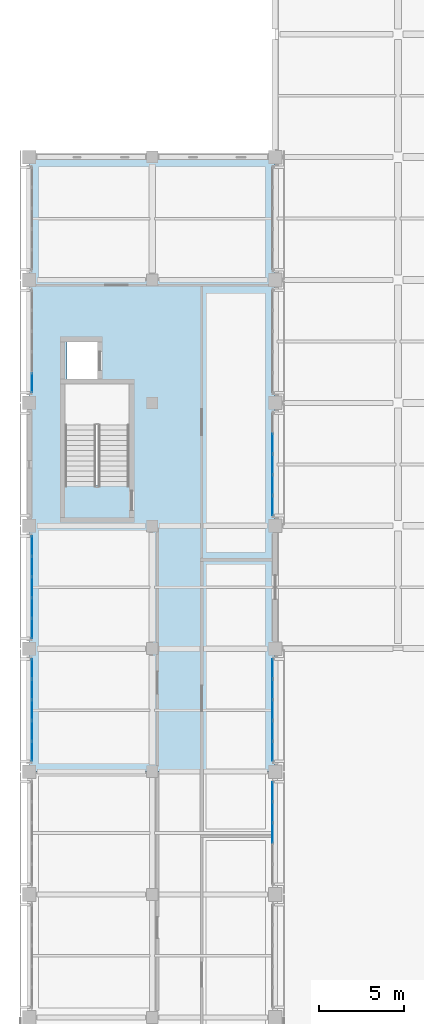
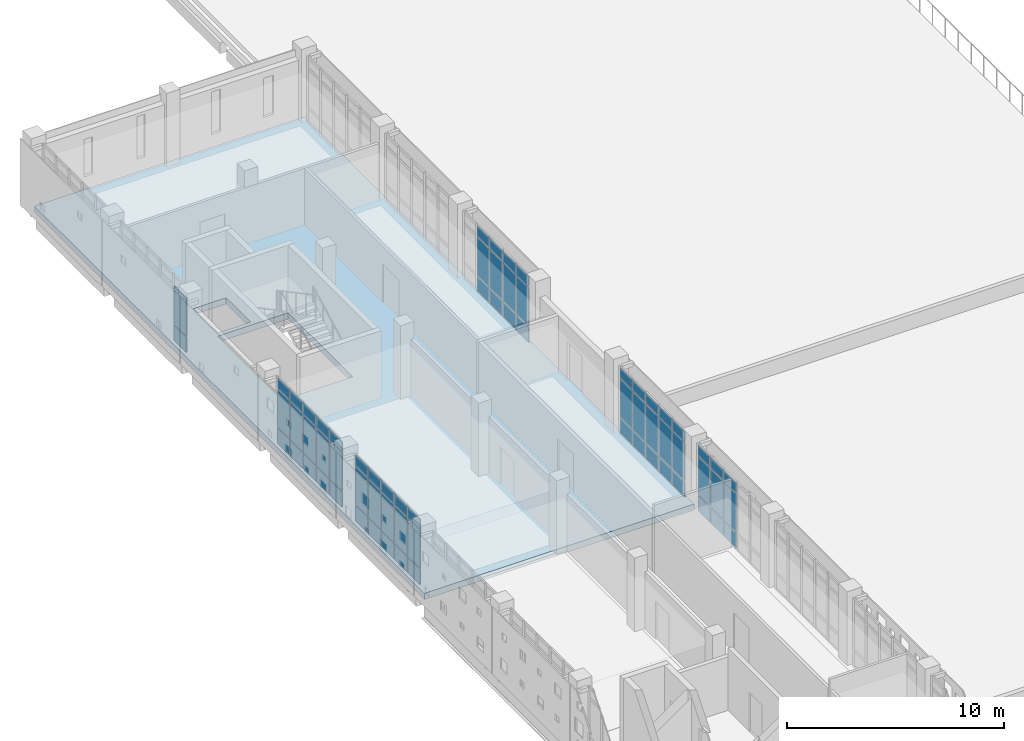
# One storey, part 27 of 51: 68 plates, 1 slab, 6 elements without a shape of their own.
"""IFC4 building model written with IfcOpenShell, lengths in metres."""

from ifc_helpers import new_model, si_unit, direction, frame, origin, origin_2d, place, context, subcontext, project, spatial, polyline, rectangle, outline, extrude, material, layer, layer_set, type_object, element, aggregate, save


model = new_model("IFC4")

# Units and contexts
model_context = context("Model", 3, precision=1e-05, world=origin(), true_north=direction((0.0, 1.0)))
body_context = subcontext(model_context, "Body", "Model", "MODEL_VIEW")
ifc_project = project(units=[si_unit("LENGTHUNIT", "METRE"), si_unit("AREAUNIT", "SQUARE_METRE"), si_unit("VOLUMEUNIT", "CUBIC_METRE"), si_unit("PLANEANGLEUNIT", "RADIAN"), si_unit("MASSUNIT", "GRAM", prefix="KILO")], contexts=[model_context])

# Site, building, storey
site_placement = place(None, origin())
site = spatial("IfcSite", under=ifc_project, at=site_placement, CompositionType="ELEMENT")
building_placement = place(site_placement, origin())
building = spatial("IfcBuilding", under=site, at=building_placement, Name="Valkovuoma Quantum and Materials Research Institute", CompositionType="ELEMENT")
storey_placement = place(building_placement, frame((0.0, 0.0, 17.280029296875)))
storey = spatial("IfcBuildingStorey", under=building, at=storey_placement, Name="L04", CompositionType="ELEMENT", Elevation=17.280029296875)

# Curtain wall, plates
ifc_material_1 = material(Name="Thermally broken aluminium and triple low-E glazing", Category="aluminium")
ifc_layer_1 = layer(ifc_material_1, 0.219970703125)
ifc_layer_set_1 = layer_set([ifc_layer_1], Name="Thermally broken aluminium and triple low-E glazing")
curtain_wall_type = type_object("IfcCurtainWallType", Name="CW-CW-01", PredefinedType="NOTDEFINED", material=ifc_layer_set_1)
curtain_wall_1_placement = place(storey_placement, origin())
curtain_wall_1 = element("IfcCurtainWall", 1, at=curtain_wall_1_placement, inside=storey, type_object=curtain_wall_type, Name="L04 curtain wall 047", PredefinedType="NOTDEFINED")
ifc_material_2 = material(Name="Triple low-E argon insulating glass", Category="glass")
ifc_layer_2 = layer(ifc_material_2, 0.035888671875)
ifc_layer_set_2 = layer_set([ifc_layer_2], Name="Triple low-E argon insulating glass")
plate_type_1 = type_object("IfcPlateType", Name="CWPanel-CWP-01", PredefinedType="CURTAIN_PANEL", material=ifc_layer_set_2)
plate_1_placement = place(storey_placement, frame((0.14990234375, 58.781982421875, 0.06494140625), z_axis=(0.0, 0.0, 1.0), x_axis=(0.0, 1.0, 0.0)))
plate_1 = element("IfcPlate", 2, at=plate_1_placement, type_object=plate_type_1, Name="CW-01 panel 1.1", PredefinedType="CURTAIN_PANEL", context=body_context, shape_type="SweptSolid", body=[
    extrude(rectangle(XDim=1.11962890625, YDim=0.035888671875, at=origin_2d()), origin(), (0.0, 0.0, 1.0), 0.8525390625),
])
plate_2_placement = place(storey_placement, frame((0.14990234375, 58.781982421875, 0.982421875), z_axis=(0.0, 0.0, 1.0), x_axis=(0.0, 1.0, 0.0)))
plate_2 = element("IfcPlate", 3, at=plate_2_placement, type_object=plate_type_1, Name="CW-01 panel 1.2", PredefinedType="CURTAIN_PANEL", context=body_context, shape_type="SweptSolid", body=[
    extrude(rectangle(XDim=1.11962890625, YDim=0.035888671875, at=origin_2d()), origin(), (0.0, 0.0, 1.0), 2.14501953125),
])
plate_3_placement = place(storey_placement, frame((0.14990234375, 58.781982421875, 3.1923828125), z_axis=(0.0, 0.0, 1.0), x_axis=(0.0, 1.0, 0.0)))
plate_3 = element("IfcPlate", 4, at=plate_3_placement, type_object=plate_type_1, Name="CW-01 panel 1.3", PredefinedType="CURTAIN_PANEL", context=body_context, shape_type="SweptSolid", body=[
    extrude(rectangle(XDim=1.11962890625, YDim=0.035888671875, at=origin_2d()), origin(), (0.0, 0.0, 1.0), 0.552490234375),
])
plate_4_placement = place(storey_placement, frame((0.14990234375, 59.98291015625, 0.06494140625), z_axis=(0.0, 0.0, 1.0), x_axis=(0.0, 1.0, 0.0)))
plate_4 = element("IfcPlate", 5, at=plate_4_placement, type_object=plate_type_1, Name="CW-01 panel 2.1", PredefinedType="CURTAIN_PANEL", context=body_context, shape_type="SweptSolid", body=[
    extrude(rectangle(XDim=1.152099609375, YDim=0.035888671875, at=origin_2d()), origin(), (0.0, 0.0, 1.0), 0.8525390625),
])
plate_5_placement = place(storey_placement, frame((0.14990234375, 59.98291015625, 0.982421875), z_axis=(0.0, 0.0, 1.0), x_axis=(0.0, 1.0, 0.0)))
plate_5 = element("IfcPlate", 6, at=plate_5_placement, type_object=plate_type_1, Name="CW-01 panel 2.2", PredefinedType="CURTAIN_PANEL", context=body_context, shape_type="SweptSolid", body=[
    extrude(rectangle(XDim=1.152099609375, YDim=0.035888671875, at=origin_2d()), origin(), (0.0, 0.0, 1.0), 2.14501953125),
])
plate_6_placement = place(storey_placement, frame((0.14990234375, 59.98291015625, 3.1923828125), z_axis=(0.0, 0.0, 1.0), x_axis=(0.0, 1.0, 0.0)))
plate_6 = element("IfcPlate", 7, at=plate_6_placement, type_object=plate_type_1, Name="CW-01 panel 2.3", PredefinedType="CURTAIN_PANEL", context=body_context, shape_type="SweptSolid", body=[
    extrude(rectangle(XDim=1.152099609375, YDim=0.035888671875, at=origin_2d()), origin(), (0.0, 0.0, 1.0), 0.552490234375),
])
plate_7_placement = place(storey_placement, frame((0.14990234375, 61.199951171875, 0.06494140625), z_axis=(0.0, 0.0, 1.0), x_axis=(0.0, 1.0, 0.0)))
plate_7 = element("IfcPlate", 8, at=plate_7_placement, type_object=plate_type_1, Name="CW-01 panel 3.1", PredefinedType="CURTAIN_PANEL", context=body_context, shape_type="SweptSolid", body=[
    extrude(rectangle(XDim=1.152099609375, YDim=0.035888671875, at=origin_2d()), origin(), (0.0, 0.0, 1.0), 0.8525390625),
])
plate_8_placement = place(storey_placement, frame((0.14990234375, 61.199951171875, 0.982421875), z_axis=(0.0, 0.0, 1.0), x_axis=(0.0, 1.0, 0.0)))
plate_8 = element("IfcPlate", 9, at=plate_8_placement, type_object=plate_type_1, Name="CW-01 panel 3.2", PredefinedType="CURTAIN_PANEL", context=body_context, shape_type="SweptSolid", body=[
    extrude(rectangle(XDim=1.152099609375, YDim=0.035888671875, at=origin_2d()), origin(), (0.0, 0.0, 1.0), 2.14501953125),
])
plate_9_placement = place(storey_placement, frame((0.14990234375, 61.199951171875, 3.1923828125), z_axis=(0.0, 0.0, 1.0), x_axis=(0.0, 1.0, 0.0)))
plate_9 = element("IfcPlate", 10, at=plate_9_placement, type_object=plate_type_1, Name="CW-01 panel 3.3", PredefinedType="CURTAIN_PANEL", context=body_context, shape_type="SweptSolid", body=[
    extrude(rectangle(XDim=1.152099609375, YDim=0.035888671875, at=origin_2d()), origin(), (0.0, 0.0, 1.0), 0.552490234375),
])
plate_10_placement = place(storey_placement, frame((0.14990234375, 62.417236328125, 0.06494140625), z_axis=(0.0, 0.0, 1.0), x_axis=(0.0, 1.0, 0.0)))
plate_10 = element("IfcPlate", 11, at=plate_10_placement, type_object=plate_type_1, Name="CW-01 panel 4.1", PredefinedType="CURTAIN_PANEL", context=body_context, shape_type="SweptSolid", body=[
    extrude(rectangle(XDim=1.152099609375, YDim=0.035888671875, at=origin_2d()), origin(), (0.0, 0.0, 1.0), 0.8525390625),
])
plate_11_placement = place(storey_placement, frame((0.14990234375, 62.417236328125, 0.982421875), z_axis=(0.0, 0.0, 1.0), x_axis=(0.0, 1.0, 0.0)))
plate_11 = element("IfcPlate", 12, at=plate_11_placement, type_object=plate_type_1, Name="CW-01 panel 4.2", PredefinedType="CURTAIN_PANEL", context=body_context, shape_type="SweptSolid", body=[
    extrude(rectangle(XDim=1.152099609375, YDim=0.035888671875, at=origin_2d()), origin(), (0.0, 0.0, 1.0), 2.14501953125),
])
plate_12_placement = place(storey_placement, frame((0.14990234375, 62.417236328125, 3.1923828125), z_axis=(0.0, 0.0, 1.0), x_axis=(0.0, 1.0, 0.0)))
plate_12 = element("IfcPlate", 13, at=plate_12_placement, type_object=plate_type_1, Name="CW-01 panel 4.3", PredefinedType="CURTAIN_PANEL", context=body_context, shape_type="SweptSolid", body=[
    extrude(rectangle(XDim=1.152099609375, YDim=0.035888671875, at=origin_2d()), origin(), (0.0, 0.0, 1.0), 0.552490234375),
])
plate_13_placement = place(storey_placement, frame((0.14990234375, 63.6181640625, 0.06494140625), z_axis=(0.0, 0.0, 1.0), x_axis=(0.0, 1.0, 0.0)))
plate_13 = element("IfcPlate", 14, at=plate_13_placement, type_object=plate_type_1, Name="CW-01 panel 5.1", PredefinedType="CURTAIN_PANEL", context=body_context, shape_type="SweptSolid", body=[
    extrude(rectangle(XDim=1.11962890625, YDim=0.035888671875, at=origin_2d()), origin(), (0.0, 0.0, 1.0), 0.8525390625),
])
plate_14_placement = place(storey_placement, frame((0.14990234375, 63.6181640625, 0.982421875), z_axis=(0.0, 0.0, 1.0), x_axis=(0.0, 1.0, 0.0)))
plate_14 = element("IfcPlate", 15, at=plate_14_placement, type_object=plate_type_1, Name="CW-01 panel 5.2", PredefinedType="CURTAIN_PANEL", context=body_context, shape_type="SweptSolid", body=[
    extrude(rectangle(XDim=1.11962890625, YDim=0.035888671875, at=origin_2d()), origin(), (0.0, 0.0, 1.0), 2.14501953125),
])
plate_15_placement = place(storey_placement, frame((0.14990234375, 63.6181640625, 3.1923828125), z_axis=(0.0, 0.0, 1.0), x_axis=(0.0, 1.0, 0.0)))
plate_15 = element("IfcPlate", 16, at=plate_15_placement, type_object=plate_type_1, Name="CW-01 panel 5.3", PredefinedType="CURTAIN_PANEL", context=body_context, shape_type="SweptSolid", body=[
    extrude(rectangle(XDim=1.11962890625, YDim=0.035888671875, at=origin_2d()), origin(), (0.0, 0.0, 1.0), 0.552490234375),
])
aggregate(curtain_wall_1, [plate_1, plate_2, plate_3, plate_4, plate_5, plate_6, plate_7, plate_8, plate_9, plate_10, plate_11, plate_12, plate_13, plate_14, plate_15])

curtain_wall_2_placement = place(storey_placement, origin())
curtain_wall_2 = element("IfcCurtainWall", 17, at=curtain_wall_2_placement, inside=storey, type_object=curtain_wall_type, Name="L04 curtain wall 049", PredefinedType="NOTDEFINED")
plate_16_placement = place(storey_placement, frame((0.14990234375, 65.98193359375, 0.06494140625), z_axis=(0.0, 0.0, 1.0), x_axis=(0.0, 1.0, 0.0)))
plate_16 = element("IfcPlate", 18, at=plate_16_placement, type_object=plate_type_1, Name="CW-01 panel 1.1", PredefinedType="CURTAIN_PANEL", context=body_context, shape_type="SweptSolid", body=[
    extrude(rectangle(XDim=1.11962890625, YDim=0.035888671875, at=origin_2d()), origin(), (0.0, 0.0, 1.0), 0.8525390625),
])
plate_17_placement = place(storey_placement, frame((0.14990234375, 65.98193359375, 0.982421875), z_axis=(0.0, 0.0, 1.0), x_axis=(0.0, 1.0, 0.0)))
plate_17 = element("IfcPlate", 19, at=plate_17_placement, type_object=plate_type_1, Name="CW-01 panel 1.2", PredefinedType="CURTAIN_PANEL", context=body_context, shape_type="SweptSolid", body=[
    extrude(rectangle(XDim=1.11962890625, YDim=0.035888671875, at=origin_2d()), origin(), (0.0, 0.0, 1.0), 2.14501953125),
])
plate_18_placement = place(storey_placement, frame((0.14990234375, 65.98193359375, 3.1923828125), z_axis=(0.0, 0.0, 1.0), x_axis=(0.0, 1.0, 0.0)))
plate_18 = element("IfcPlate", 20, at=plate_18_placement, type_object=plate_type_1, Name="CW-01 panel 1.3", PredefinedType="CURTAIN_PANEL", context=body_context, shape_type="SweptSolid", body=[
    extrude(rectangle(XDim=1.11962890625, YDim=0.035888671875, at=origin_2d()), origin(), (0.0, 0.0, 1.0), 0.552490234375),
])
plate_19_placement = place(storey_placement, frame((0.14990234375, 67.182861328125, 0.06494140625), z_axis=(0.0, 0.0, 1.0), x_axis=(0.0, 1.0, 0.0)))
plate_19 = element("IfcPlate", 21, at=plate_19_placement, type_object=plate_type_1, Name="CW-01 panel 2.1", PredefinedType="CURTAIN_PANEL", context=body_context, shape_type="SweptSolid", body=[
    extrude(rectangle(XDim=1.152099609375, YDim=0.035888671875, at=origin_2d()), origin(), (0.0, 0.0, 1.0), 0.8525390625),
])
plate_20_placement = place(storey_placement, frame((0.14990234375, 67.182861328125, 0.982421875), z_axis=(0.0, 0.0, 1.0), x_axis=(0.0, 1.0, 0.0)))
plate_20 = element("IfcPlate", 22, at=plate_20_placement, type_object=plate_type_1, Name="CW-01 panel 2.2", PredefinedType="CURTAIN_PANEL", context=body_context, shape_type="SweptSolid", body=[
    extrude(rectangle(XDim=1.152099609375, YDim=0.035888671875, at=origin_2d()), origin(), (0.0, 0.0, 1.0), 2.14501953125),
])
plate_21_placement = place(storey_placement, frame((0.14990234375, 67.182861328125, 3.1923828125), z_axis=(0.0, 0.0, 1.0), x_axis=(0.0, 1.0, 0.0)))
plate_21 = element("IfcPlate", 23, at=plate_21_placement, type_object=plate_type_1, Name="CW-01 panel 2.3", PredefinedType="CURTAIN_PANEL", context=body_context, shape_type="SweptSolid", body=[
    extrude(rectangle(XDim=1.152099609375, YDim=0.035888671875, at=origin_2d()), origin(), (0.0, 0.0, 1.0), 0.552490234375),
])
plate_22_placement = place(storey_placement, frame((0.14990234375, 68.39990234375, 0.06494140625), z_axis=(0.0, 0.0, 1.0), x_axis=(0.0, 1.0, 0.0)))
plate_22 = element("IfcPlate", 24, at=plate_22_placement, type_object=plate_type_1, Name="CW-01 panel 3.1", PredefinedType="CURTAIN_PANEL", context=body_context, shape_type="SweptSolid", body=[
    extrude(rectangle(XDim=1.152099609375, YDim=0.035888671875, at=origin_2d()), origin(), (0.0, 0.0, 1.0), 0.8525390625),
])
plate_23_placement = place(storey_placement, frame((0.14990234375, 68.39990234375, 0.982421875), z_axis=(0.0, 0.0, 1.0), x_axis=(0.0, 1.0, 0.0)))
plate_23 = element("IfcPlate", 25, at=plate_23_placement, type_object=plate_type_1, Name="CW-01 panel 3.2", PredefinedType="CURTAIN_PANEL", context=body_context, shape_type="SweptSolid", body=[
    extrude(rectangle(XDim=1.152099609375, YDim=0.035888671875, at=origin_2d()), origin(), (0.0, 0.0, 1.0), 2.14501953125),
])
plate_24_placement = place(storey_placement, frame((0.14990234375, 68.39990234375, 3.1923828125), z_axis=(0.0, 0.0, 1.0), x_axis=(0.0, 1.0, 0.0)))
plate_24 = element("IfcPlate", 26, at=plate_24_placement, type_object=plate_type_1, Name="CW-01 panel 3.3", PredefinedType="CURTAIN_PANEL", context=body_context, shape_type="SweptSolid", body=[
    extrude(rectangle(XDim=1.152099609375, YDim=0.035888671875, at=origin_2d()), origin(), (0.0, 0.0, 1.0), 0.552490234375),
])
plate_25_placement = place(storey_placement, frame((0.14990234375, 69.6171875, 0.06494140625), z_axis=(0.0, 0.0, 1.0), x_axis=(0.0, 1.0, 0.0)))
plate_25 = element("IfcPlate", 27, at=plate_25_placement, type_object=plate_type_1, Name="CW-01 panel 4.1", PredefinedType="CURTAIN_PANEL", context=body_context, shape_type="SweptSolid", body=[
    extrude(rectangle(XDim=1.152099609375, YDim=0.035888671875, at=origin_2d()), origin(), (0.0, 0.0, 1.0), 0.8525390625),
])
plate_26_placement = place(storey_placement, frame((0.14990234375, 69.6171875, 0.982421875), z_axis=(0.0, 0.0, 1.0), x_axis=(0.0, 1.0, 0.0)))
plate_26 = element("IfcPlate", 28, at=plate_26_placement, type_object=plate_type_1, Name="CW-01 panel 4.2", PredefinedType="CURTAIN_PANEL", context=body_context, shape_type="SweptSolid", body=[
    extrude(rectangle(XDim=1.152099609375, YDim=0.035888671875, at=origin_2d()), origin(), (0.0, 0.0, 1.0), 2.14501953125),
])
plate_27_placement = place(storey_placement, frame((0.14990234375, 69.6171875, 3.1923828125), z_axis=(0.0, 0.0, 1.0), x_axis=(0.0, 1.0, 0.0)))
plate_27 = element("IfcPlate", 29, at=plate_27_placement, type_object=plate_type_1, Name="CW-01 panel 4.3", PredefinedType="CURTAIN_PANEL", context=body_context, shape_type="SweptSolid", body=[
    extrude(rectangle(XDim=1.152099609375, YDim=0.035888671875, at=origin_2d()), origin(), (0.0, 0.0, 1.0), 0.552490234375),
])
plate_28_placement = place(storey_placement, frame((0.14990234375, 70.818115234375, 0.06494140625), z_axis=(0.0, 0.0, 1.0), x_axis=(0.0, 1.0, 0.0)))
plate_28 = element("IfcPlate", 30, at=plate_28_placement, type_object=plate_type_1, Name="CW-01 panel 5.1", PredefinedType="CURTAIN_PANEL", context=body_context, shape_type="SweptSolid", body=[
    extrude(rectangle(XDim=1.11962890625, YDim=0.035888671875, at=origin_2d()), origin(), (0.0, 0.0, 1.0), 0.8525390625),
])
plate_29_placement = place(storey_placement, frame((0.14990234375, 70.818115234375, 0.982421875), z_axis=(0.0, 0.0, 1.0), x_axis=(0.0, 1.0, 0.0)))
plate_29 = element("IfcPlate", 31, at=plate_29_placement, type_object=plate_type_1, Name="CW-01 panel 5.2", PredefinedType="CURTAIN_PANEL", context=body_context, shape_type="SweptSolid", body=[
    extrude(rectangle(XDim=1.11962890625, YDim=0.035888671875, at=origin_2d()), origin(), (0.0, 0.0, 1.0), 2.14501953125),
])
plate_30_placement = place(storey_placement, frame((0.14990234375, 70.818115234375, 3.1923828125), z_axis=(0.0, 0.0, 1.0), x_axis=(0.0, 1.0, 0.0)))
plate_30 = element("IfcPlate", 32, at=plate_30_placement, type_object=plate_type_1, Name="CW-01 panel 5.3", PredefinedType="CURTAIN_PANEL", context=body_context, shape_type="SweptSolid", body=[
    extrude(rectangle(XDim=1.11962890625, YDim=0.035888671875, at=origin_2d()), origin(), (0.0, 0.0, 1.0), 0.552490234375),
])
aggregate(curtain_wall_2, [plate_16, plate_17, plate_18, plate_19, plate_20, plate_21, plate_22, plate_23, plate_24, plate_25, plate_26, plate_27, plate_28, plate_29, plate_30])

curtain_wall_3_placement = place(storey_placement, origin())
curtain_wall_3 = element("IfcCurtainWall", 33, at=curtain_wall_3_placement, inside=storey, type_object=curtain_wall_type, Name="L04 curtain wall 051", PredefinedType="NOTDEFINED")
plate_31_placement = place(storey_placement, frame((0.14990234375, 80.3818359375, 0.06494140625), z_axis=(0.0, 0.0, 1.0), x_axis=(0.0, 1.0, 0.0)))
plate_31 = element("IfcPlate", 34, at=plate_31_placement, type_object=plate_type_1, Name="CW-01 panel 1.1", PredefinedType="CURTAIN_PANEL", context=body_context, shape_type="SweptSolid", body=[
    extrude(rectangle(XDim=1.11962890625, YDim=0.035888671875, at=origin_2d()), origin(), (0.0, 0.0, 1.0), 0.8525390625),
])
plate_32_placement = place(storey_placement, frame((0.14990234375, 80.3818359375, 0.982421875), z_axis=(0.0, 0.0, 1.0), x_axis=(0.0, 1.0, 0.0)))
plate_32 = element("IfcPlate", 35, at=plate_32_placement, type_object=plate_type_1, Name="CW-01 panel 1.2", PredefinedType="CURTAIN_PANEL", context=body_context, shape_type="SweptSolid", body=[
    extrude(rectangle(XDim=1.11962890625, YDim=0.035888671875, at=origin_2d()), origin(), (0.0, 0.0, 1.0), 2.14501953125),
])
aggregate(curtain_wall_3, [plate_31, plate_32])

curtain_wall_4_placement = place(storey_placement, origin())
curtain_wall_4 = element("IfcCurtainWall", 36, at=curtain_wall_4_placement, inside=storey, type_object=curtain_wall_type, Name="L04 curtain wall 046", PredefinedType="NOTDEFINED")
ifc_material_3 = material(Name="Triple low-E argon insulating glass", Category="glass")
ifc_layer_3 = layer(ifc_material_3, 0.0419921875)
ifc_layer_set_3 = layer_set([ifc_layer_3], Name="Triple low-E argon insulating glass")
plate_type_2 = type_object("IfcPlateType", Name="CWPanel-CWP-02", PredefinedType="CURTAIN_PANEL", material=ifc_layer_set_3)
plate_33_placement = place(storey_placement, frame((14.25, 54.0, 0.06494140625), z_axis=(0.0, 0.0, 1.0), x_axis=(0.0, 1.0, 0.0)))
plate_33 = element("IfcPlate", 37, at=plate_33_placement, type_object=plate_type_2, Name="CW-01 panel 3.1", PredefinedType="CURTAIN_PANEL", context=body_context, shape_type="SweptSolid", body=[
    extrude(rectangle(XDim=1.152099609375, YDim=0.0419921875, at=origin_2d()), origin(), (0.0, 0.0, 1.0), 0.8525390625),
])
plate_34_placement = place(storey_placement, frame((14.25, 54.0, 0.982421875), z_axis=(0.0, 0.0, 1.0), x_axis=(0.0, 1.0, 0.0)))
plate_34 = element("IfcPlate", 38, at=plate_34_placement, type_object=plate_type_2, Name="CW-01 panel 3.2", PredefinedType="CURTAIN_PANEL", context=body_context, shape_type="SweptSolid", body=[
    extrude(rectangle(XDim=1.152099609375, YDim=0.0419921875, at=origin_2d()), origin(), (0.0, 0.0, 1.0), 2.14501953125),
])
plate_35_placement = place(storey_placement, frame((14.25, 54.0, 3.1923828125), z_axis=(0.0, 0.0, 1.0), x_axis=(0.0, 1.0, 0.0)))
plate_35 = element("IfcPlate", 39, at=plate_35_placement, type_object=plate_type_2, Name="CW-01 panel 3.3", PredefinedType="CURTAIN_PANEL", context=body_context, shape_type="SweptSolid", body=[
    extrude(rectangle(XDim=1.152099609375, YDim=0.0419921875, at=origin_2d()), origin(), (0.0, 0.0, 1.0), 0.552490234375),
])
plate_36_placement = place(storey_placement, frame((14.25, 55.217041015625, 0.06494140625), z_axis=(0.0, 0.0, 1.0), x_axis=(0.0, 1.0, 0.0)))
plate_36 = element("IfcPlate", 40, at=plate_36_placement, type_object=plate_type_2, Name="CW-01 panel 4.1", PredefinedType="CURTAIN_PANEL", context=body_context, shape_type="SweptSolid", body=[
    extrude(rectangle(XDim=1.152099609375, YDim=0.0419921875, at=origin_2d()), origin(), (0.0, 0.0, 1.0), 0.8525390625),
])
plate_37_placement = place(storey_placement, frame((14.25, 55.217041015625, 0.982421875), z_axis=(0.0, 0.0, 1.0), x_axis=(0.0, 1.0, 0.0)))
plate_37 = element("IfcPlate", 41, at=plate_37_placement, type_object=plate_type_2, Name="CW-01 panel 4.2", PredefinedType="CURTAIN_PANEL", context=body_context, shape_type="SweptSolid", body=[
    extrude(rectangle(XDim=1.152099609375, YDim=0.0419921875, at=origin_2d()), origin(), (0.0, 0.0, 1.0), 2.14501953125),
])
plate_38_placement = place(storey_placement, frame((14.25, 55.217041015625, 3.1923828125), z_axis=(0.0, 0.0, 1.0), x_axis=(0.0, 1.0, 0.0)))
plate_38 = element("IfcPlate", 42, at=plate_38_placement, type_object=plate_type_2, Name="CW-01 panel 4.3", PredefinedType="CURTAIN_PANEL", context=body_context, shape_type="SweptSolid", body=[
    extrude(rectangle(XDim=1.152099609375, YDim=0.0419921875, at=origin_2d()), origin(), (0.0, 0.0, 1.0), 0.552490234375),
])
plate_39_placement = place(storey_placement, frame((14.25, 56.41796875, 0.06494140625), z_axis=(0.0, 0.0, 1.0), x_axis=(0.0, 1.0, 0.0)))
plate_39 = element("IfcPlate", 43, at=plate_39_placement, type_object=plate_type_2, Name="CW-01 panel 5.1", PredefinedType="CURTAIN_PANEL", context=body_context, shape_type="SweptSolid", body=[
    extrude(rectangle(XDim=1.11962890625, YDim=0.0419921875, at=origin_2d()), origin(), (0.0, 0.0, 1.0), 0.8525390625),
])
plate_40_placement = place(storey_placement, frame((14.25, 56.41796875, 0.982421875), z_axis=(0.0, 0.0, 1.0), x_axis=(0.0, 1.0, 0.0)))
plate_40 = element("IfcPlate", 44, at=plate_40_placement, type_object=plate_type_2, Name="CW-01 panel 5.2", PredefinedType="CURTAIN_PANEL", context=body_context, shape_type="SweptSolid", body=[
    extrude(rectangle(XDim=1.11962890625, YDim=0.0419921875, at=origin_2d()), origin(), (0.0, 0.0, 1.0), 2.14501953125),
])
plate_41_placement = place(storey_placement, frame((14.25, 56.41796875, 3.1923828125), z_axis=(0.0, 0.0, 1.0), x_axis=(0.0, 1.0, 0.0)))
plate_41 = element("IfcPlate", 45, at=plate_41_placement, type_object=plate_type_2, Name="CW-01 panel 5.3", PredefinedType="CURTAIN_PANEL", context=body_context, shape_type="SweptSolid", body=[
    extrude(rectangle(XDim=1.11962890625, YDim=0.0419921875, at=origin_2d()), origin(), (0.0, 0.0, 1.0), 0.552490234375),
])
aggregate(curtain_wall_4, [plate_33, plate_34, plate_35, plate_36, plate_37, plate_38, plate_39, plate_40, plate_41])

curtain_wall_5_placement = place(storey_placement, origin())
curtain_wall_5 = element("IfcCurtainWall", 46, at=curtain_wall_5_placement, inside=storey, type_object=curtain_wall_type, Name="L04 curtain wall 048", PredefinedType="NOTDEFINED")
plate_42_placement = place(storey_placement, frame((14.25, 58.781982421875, 0.06494140625), z_axis=(0.0, 0.0, 1.0), x_axis=(0.0, 1.0, 0.0)))
plate_42 = element("IfcPlate", 47, at=plate_42_placement, type_object=plate_type_2, Name="CW-01 panel 1.1", PredefinedType="CURTAIN_PANEL", context=body_context, shape_type="SweptSolid", body=[
    extrude(rectangle(XDim=1.11962890625, YDim=0.0419921875, at=origin_2d()), origin(), (0.0, 0.0, 1.0), 0.8525390625),
])
plate_43_placement = place(storey_placement, frame((14.25, 58.781982421875, 0.982421875), z_axis=(0.0, 0.0, 1.0), x_axis=(0.0, 1.0, 0.0)))
plate_43 = element("IfcPlate", 48, at=plate_43_placement, type_object=plate_type_2, Name="CW-01 panel 1.2", PredefinedType="CURTAIN_PANEL", context=body_context, shape_type="SweptSolid", body=[
    extrude(rectangle(XDim=1.11962890625, YDim=0.0419921875, at=origin_2d()), origin(), (0.0, 0.0, 1.0), 2.14501953125),
])
plate_44_placement = place(storey_placement, frame((14.25, 58.781982421875, 3.1923828125), z_axis=(0.0, 0.0, 1.0), x_axis=(0.0, 1.0, 0.0)))
plate_44 = element("IfcPlate", 49, at=plate_44_placement, type_object=plate_type_2, Name="CW-01 panel 1.3", PredefinedType="CURTAIN_PANEL", context=body_context, shape_type="SweptSolid", body=[
    extrude(rectangle(XDim=1.11962890625, YDim=0.0419921875, at=origin_2d()), origin(), (0.0, 0.0, 1.0), 0.552490234375),
])
plate_45_placement = place(storey_placement, frame((14.25, 59.98291015625, 0.06494140625), z_axis=(0.0, 0.0, 1.0), x_axis=(0.0, 1.0, 0.0)))
plate_45 = element("IfcPlate", 50, at=plate_45_placement, type_object=plate_type_2, Name="CW-01 panel 2.1", PredefinedType="CURTAIN_PANEL", context=body_context, shape_type="SweptSolid", body=[
    extrude(rectangle(XDim=1.152099609375, YDim=0.0419921875, at=origin_2d()), origin(), (0.0, 0.0, 1.0), 0.8525390625),
])
plate_46_placement = place(storey_placement, frame((14.25, 59.98291015625, 0.982421875), z_axis=(0.0, 0.0, 1.0), x_axis=(0.0, 1.0, 0.0)))
plate_46 = element("IfcPlate", 51, at=plate_46_placement, type_object=plate_type_2, Name="CW-01 panel 2.2", PredefinedType="CURTAIN_PANEL", context=body_context, shape_type="SweptSolid", body=[
    extrude(rectangle(XDim=1.152099609375, YDim=0.0419921875, at=origin_2d()), origin(), (0.0, 0.0, 1.0), 2.14501953125),
])
plate_47_placement = place(storey_placement, frame((14.25, 59.98291015625, 3.1923828125), z_axis=(0.0, 0.0, 1.0), x_axis=(0.0, 1.0, 0.0)))
plate_47 = element("IfcPlate", 52, at=plate_47_placement, type_object=plate_type_2, Name="CW-01 panel 2.3", PredefinedType="CURTAIN_PANEL", context=body_context, shape_type="SweptSolid", body=[
    extrude(rectangle(XDim=1.152099609375, YDim=0.0419921875, at=origin_2d()), origin(), (0.0, 0.0, 1.0), 0.552490234375),
])
plate_48_placement = place(storey_placement, frame((14.25, 61.199951171875, 0.06494140625), z_axis=(0.0, 0.0, 1.0), x_axis=(0.0, 1.0, 0.0)))
plate_48 = element("IfcPlate", 53, at=plate_48_placement, type_object=plate_type_2, Name="CW-01 panel 3.1", PredefinedType="CURTAIN_PANEL", context=body_context, shape_type="SweptSolid", body=[
    extrude(rectangle(XDim=1.152099609375, YDim=0.0419921875, at=origin_2d()), origin(), (0.0, 0.0, 1.0), 0.8525390625),
])
plate_49_placement = place(storey_placement, frame((14.25, 61.199951171875, 0.982421875), z_axis=(0.0, 0.0, 1.0), x_axis=(0.0, 1.0, 0.0)))
plate_49 = element("IfcPlate", 54, at=plate_49_placement, type_object=plate_type_2, Name="CW-01 panel 3.2", PredefinedType="CURTAIN_PANEL", context=body_context, shape_type="SweptSolid", body=[
    extrude(rectangle(XDim=1.152099609375, YDim=0.0419921875, at=origin_2d()), origin(), (0.0, 0.0, 1.0), 2.14501953125),
])
plate_50_placement = place(storey_placement, frame((14.25, 61.199951171875, 3.1923828125), z_axis=(0.0, 0.0, 1.0), x_axis=(0.0, 1.0, 0.0)))
plate_50 = element("IfcPlate", 55, at=plate_50_placement, type_object=plate_type_2, Name="CW-01 panel 3.3", PredefinedType="CURTAIN_PANEL", context=body_context, shape_type="SweptSolid", body=[
    extrude(rectangle(XDim=1.152099609375, YDim=0.0419921875, at=origin_2d()), origin(), (0.0, 0.0, 1.0), 0.552490234375),
])
plate_51_placement = place(storey_placement, frame((14.25, 62.417236328125, 0.06494140625), z_axis=(0.0, 0.0, 1.0), x_axis=(0.0, 1.0, 0.0)))
plate_51 = element("IfcPlate", 56, at=plate_51_placement, type_object=plate_type_2, Name="CW-01 panel 4.1", PredefinedType="CURTAIN_PANEL", context=body_context, shape_type="SweptSolid", body=[
    extrude(rectangle(XDim=1.152099609375, YDim=0.0419921875, at=origin_2d()), origin(), (0.0, 0.0, 1.0), 0.8525390625),
])
plate_52_placement = place(storey_placement, frame((14.25, 62.417236328125, 0.982421875), z_axis=(0.0, 0.0, 1.0), x_axis=(0.0, 1.0, 0.0)))
plate_52 = element("IfcPlate", 57, at=plate_52_placement, type_object=plate_type_2, Name="CW-01 panel 4.2", PredefinedType="CURTAIN_PANEL", context=body_context, shape_type="SweptSolid", body=[
    extrude(rectangle(XDim=1.152099609375, YDim=0.0419921875, at=origin_2d()), origin(), (0.0, 0.0, 1.0), 2.14501953125),
])
plate_53_placement = place(storey_placement, frame((14.25, 62.417236328125, 3.1923828125), z_axis=(0.0, 0.0, 1.0), x_axis=(0.0, 1.0, 0.0)))
plate_53 = element("IfcPlate", 58, at=plate_53_placement, type_object=plate_type_2, Name="CW-01 panel 4.3", PredefinedType="CURTAIN_PANEL", context=body_context, shape_type="SweptSolid", body=[
    extrude(rectangle(XDim=1.152099609375, YDim=0.0419921875, at=origin_2d()), origin(), (0.0, 0.0, 1.0), 0.552490234375),
])
plate_54_placement = place(storey_placement, frame((14.25, 63.6181640625, 0.06494140625), z_axis=(0.0, 0.0, 1.0), x_axis=(0.0, 1.0, 0.0)))
plate_54 = element("IfcPlate", 59, at=plate_54_placement, type_object=plate_type_2, Name="CW-01 panel 5.1", PredefinedType="CURTAIN_PANEL", context=body_context, shape_type="SweptSolid", body=[
    extrude(rectangle(XDim=1.11962890625, YDim=0.0419921875, at=origin_2d()), origin(), (0.0, 0.0, 1.0), 0.8525390625),
])
plate_55_placement = place(storey_placement, frame((14.25, 63.6181640625, 0.982421875), z_axis=(0.0, 0.0, 1.0), x_axis=(0.0, 1.0, 0.0)))
plate_55 = element("IfcPlate", 60, at=plate_55_placement, type_object=plate_type_2, Name="CW-01 panel 5.2", PredefinedType="CURTAIN_PANEL", context=body_context, shape_type="SweptSolid", body=[
    extrude(rectangle(XDim=1.11962890625, YDim=0.0419921875, at=origin_2d()), origin(), (0.0, 0.0, 1.0), 2.14501953125),
])
plate_56_placement = place(storey_placement, frame((14.25, 63.6181640625, 3.1923828125), z_axis=(0.0, 0.0, 1.0), x_axis=(0.0, 1.0, 0.0)))
plate_56 = element("IfcPlate", 61, at=plate_56_placement, type_object=plate_type_2, Name="CW-01 panel 5.3", PredefinedType="CURTAIN_PANEL", context=body_context, shape_type="SweptSolid", body=[
    extrude(rectangle(XDim=1.11962890625, YDim=0.0419921875, at=origin_2d()), origin(), (0.0, 0.0, 1.0), 0.552490234375),
])
aggregate(curtain_wall_5, [plate_42, plate_43, plate_44, plate_45, plate_46, plate_47, plate_48, plate_49, plate_50, plate_51, plate_52, plate_53, plate_54, plate_55, plate_56])

curtain_wall_6_placement = place(storey_placement, origin())
curtain_wall_6 = element("IfcCurtainWall", 62, at=curtain_wall_6_placement, inside=storey, type_object=curtain_wall_type, Name="L04 curtain wall 050", PredefinedType="NOTDEFINED")
plate_57_placement = place(storey_placement, frame((14.25, 73.181884765625, 0.06494140625), z_axis=(0.0, 0.0, 1.0), x_axis=(0.0, 1.0, 0.0)))
plate_57 = element("IfcPlate", 63, at=plate_57_placement, type_object=plate_type_2, Name="CW-01 panel 1.1", PredefinedType="CURTAIN_PANEL", context=body_context, shape_type="SweptSolid", body=[
    extrude(rectangle(XDim=1.11962890625, YDim=0.0419921875, at=origin_2d()), origin(), (0.0, 0.0, 1.0), 0.8525390625),
])
plate_58_placement = place(storey_placement, frame((14.25, 73.181884765625, 0.982421875), z_axis=(0.0, 0.0, 1.0), x_axis=(0.0, 1.0, 0.0)))
plate_58 = element("IfcPlate", 64, at=plate_58_placement, type_object=plate_type_2, Name="CW-01 panel 1.2", PredefinedType="CURTAIN_PANEL", context=body_context, shape_type="SweptSolid", body=[
    extrude(rectangle(XDim=1.11962890625, YDim=0.0419921875, at=origin_2d()), origin(), (0.0, 0.0, 1.0), 2.14501953125),
])
plate_59_placement = place(storey_placement, frame((14.25, 73.181884765625, 3.1923828125), z_axis=(0.0, 0.0, 1.0), x_axis=(0.0, 1.0, 0.0)))
plate_59 = element("IfcPlate", 65, at=plate_59_placement, type_object=plate_type_2, Name="CW-01 panel 1.3", PredefinedType="CURTAIN_PANEL", context=body_context, shape_type="SweptSolid", body=[
    extrude(rectangle(XDim=1.11962890625, YDim=0.0419921875, at=origin_2d()), origin(), (0.0, 0.0, 1.0), 0.552490234375),
])
plate_60_placement = place(storey_placement, frame((14.25, 74.3828125, 0.06494140625), z_axis=(0.0, 0.0, 1.0), x_axis=(0.0, 1.0, 0.0)))
plate_60 = element("IfcPlate", 66, at=plate_60_placement, type_object=plate_type_2, Name="CW-01 panel 2.1", PredefinedType="CURTAIN_PANEL", context=body_context, shape_type="SweptSolid", body=[
    extrude(rectangle(XDim=1.152099609375, YDim=0.0419921875, at=origin_2d()), origin(), (0.0, 0.0, 1.0), 0.8525390625),
])
plate_61_placement = place(storey_placement, frame((14.25, 74.3828125, 0.982421875), z_axis=(0.0, 0.0, 1.0), x_axis=(0.0, 1.0, 0.0)))
plate_61 = element("IfcPlate", 67, at=plate_61_placement, type_object=plate_type_2, Name="CW-01 panel 2.2", PredefinedType="CURTAIN_PANEL", context=body_context, shape_type="SweptSolid", body=[
    extrude(rectangle(XDim=1.152099609375, YDim=0.0419921875, at=origin_2d()), origin(), (0.0, 0.0, 1.0), 2.14501953125),
])
plate_62_placement = place(storey_placement, frame((14.25, 74.3828125, 3.1923828125), z_axis=(0.0, 0.0, 1.0), x_axis=(0.0, 1.0, 0.0)))
plate_62 = element("IfcPlate", 68, at=plate_62_placement, type_object=plate_type_2, Name="CW-01 panel 2.3", PredefinedType="CURTAIN_PANEL", context=body_context, shape_type="SweptSolid", body=[
    extrude(rectangle(XDim=1.152099609375, YDim=0.0419921875, at=origin_2d()), origin(), (0.0, 0.0, 1.0), 0.552490234375),
])
plate_63_placement = place(storey_placement, frame((14.25, 75.60009765625, 0.06494140625), z_axis=(0.0, 0.0, 1.0), x_axis=(0.0, 1.0, 0.0)))
plate_63 = element("IfcPlate", 69, at=plate_63_placement, type_object=plate_type_2, Name="CW-01 panel 3.1", PredefinedType="CURTAIN_PANEL", context=body_context, shape_type="SweptSolid", body=[
    extrude(rectangle(XDim=1.152099609375, YDim=0.0419921875, at=origin_2d()), origin(), (0.0, 0.0, 1.0), 0.8525390625),
])
plate_64_placement = place(storey_placement, frame((14.25, 75.60009765625, 0.982421875), z_axis=(0.0, 0.0, 1.0), x_axis=(0.0, 1.0, 0.0)))
plate_64 = element("IfcPlate", 70, at=plate_64_placement, type_object=plate_type_2, Name="CW-01 panel 3.2", PredefinedType="CURTAIN_PANEL", context=body_context, shape_type="SweptSolid", body=[
    extrude(rectangle(XDim=1.152099609375, YDim=0.0419921875, at=origin_2d()), origin(), (0.0, 0.0, 1.0), 2.14501953125),
])
plate_65_placement = place(storey_placement, frame((14.25, 75.60009765625, 3.1923828125), z_axis=(0.0, 0.0, 1.0), x_axis=(0.0, 1.0, 0.0)))
plate_65 = element("IfcPlate", 71, at=plate_65_placement, type_object=plate_type_2, Name="CW-01 panel 3.3", PredefinedType="CURTAIN_PANEL", context=body_context, shape_type="SweptSolid", body=[
    extrude(rectangle(XDim=1.152099609375, YDim=0.0419921875, at=origin_2d()), origin(), (0.0, 0.0, 1.0), 0.552490234375),
])
plate_66_placement = place(storey_placement, frame((14.25, 76.817138671875, 0.06494140625), z_axis=(0.0, 0.0, 1.0), x_axis=(0.0, 1.0, 0.0)))
plate_66 = element("IfcPlate", 72, at=plate_66_placement, type_object=plate_type_2, Name="CW-01 panel 4.1", PredefinedType="CURTAIN_PANEL", context=body_context, shape_type="SweptSolid", body=[
    extrude(rectangle(XDim=1.152099609375, YDim=0.0419921875, at=origin_2d()), origin(), (0.0, 0.0, 1.0), 0.8525390625),
])
plate_67_placement = place(storey_placement, frame((14.25, 76.817138671875, 0.982421875), z_axis=(0.0, 0.0, 1.0), x_axis=(0.0, 1.0, 0.0)))
plate_67 = element("IfcPlate", 73, at=plate_67_placement, type_object=plate_type_2, Name="CW-01 panel 4.2", PredefinedType="CURTAIN_PANEL", context=body_context, shape_type="SweptSolid", body=[
    extrude(rectangle(XDim=1.152099609375, YDim=0.0419921875, at=origin_2d()), origin(), (0.0, 0.0, 1.0), 2.14501953125),
])
plate_68_placement = place(storey_placement, frame((14.25, 76.817138671875, 3.1923828125), z_axis=(0.0, 0.0, 1.0), x_axis=(0.0, 1.0, 0.0)))
plate_68 = element("IfcPlate", 74, at=plate_68_placement, type_object=plate_type_2, Name="CW-01 panel 4.3", PredefinedType="CURTAIN_PANEL", context=body_context, shape_type="SweptSolid", body=[
    extrude(rectangle(XDim=1.152099609375, YDim=0.0419921875, at=origin_2d()), origin(), (0.0, 0.0, 1.0), 0.552490234375),
])
aggregate(curtain_wall_6, [plate_57, plate_58, plate_59, plate_60, plate_61, plate_62, plate_63, plate_64, plate_65, plate_66, plate_67, plate_68])

# Slab
ifc_material_4 = material(Name="Concrete C40/50", Category="concrete")
ifc_layer_4 = layer(ifc_material_4, 0.35009765625)
ifc_layer_set_4 = layer_set([ifc_layer_4], Name="Concrete C40/50")
slab_type = type_object("IfcSlabType", Name="Slab-SL-FL350", PredefinedType="FLOOR", material=ifc_layer_set_4)
slab_placement = place(storey_placement, frame((0.0, 0.0, -0.35009765625)))
element("IfcSlab", 75, at=slab_placement, inside=storey, type_object=slab_type, Name="L04 vol5_drylab structural slab 2", PredefinedType="FLOOR", context=body_context, shape_type="SweptSolid", body=[
    extrude(outline(polyline([(0.0, 57.60009765625), (14.39990234375, 57.60009765625), (14.39990234375, 93.60009765625), (0.0, 93.60009765625), (0.0, 57.60009765625)]), holes=[polyline([(2.10009765625, 74.360107421875), (5.85009765625, 74.360107421875), (5.85009765625, 80.300048828125), (2.10009765625, 80.300048828125), (2.10009765625, 74.360107421875)]), polyline([(2.219970703125, 80.52001953125), (3.97998046875, 80.52001953125), (3.97998046875, 82.780029296875), (2.219970703125, 82.780029296875), (2.219970703125, 80.52001953125)])]), origin(), (0.0, 0.0, 1.0), 0.35009765625),
])

save(model, "model.ifc")
